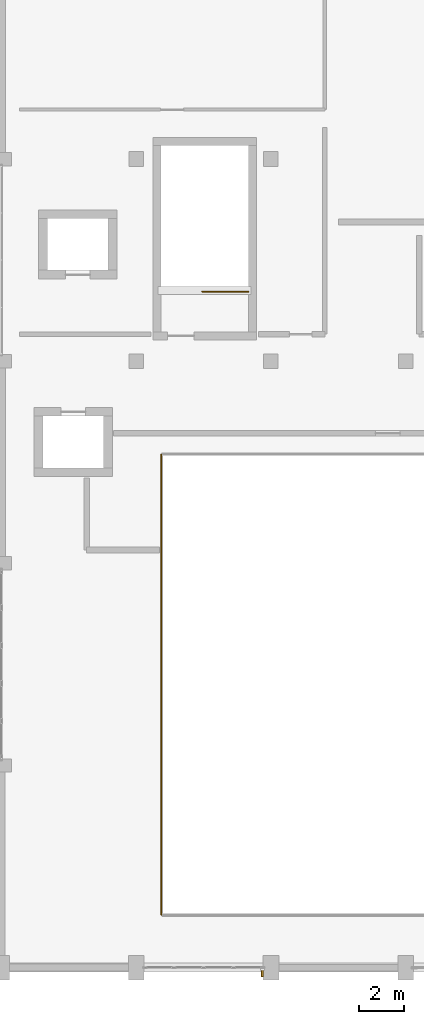
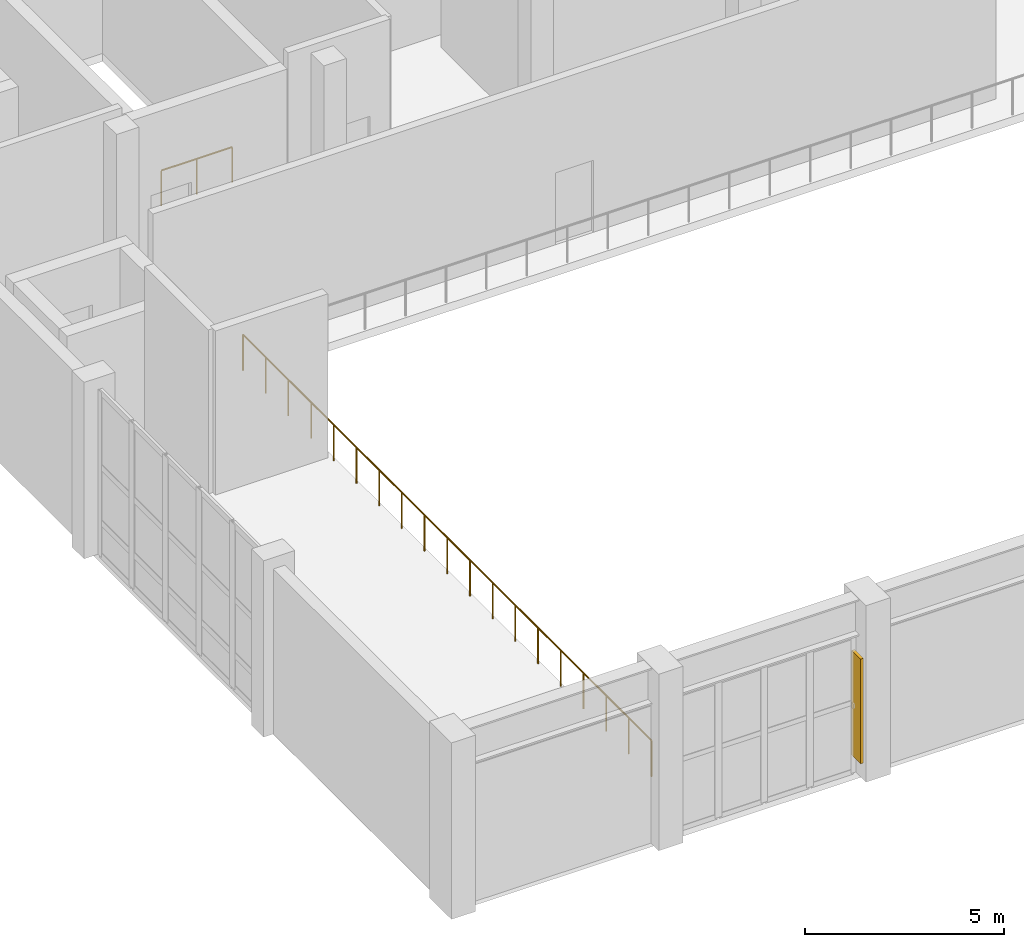
# One storey, part 36 of 41: 2 railings, 1 shading device.
"""IFC4 building model written with IfcOpenShell, lengths in metres."""

from ifc_helpers import new_model, si_unit, direction, frame, origin, origin_2d, place, context, subcontext, project, spatial, rectangle, circle, extrude, material, type_object, element, save


model = new_model("IFC4")

# Units and contexts
model_context = context("Model", 3, precision=1e-05, world=origin(), true_north=direction((0.0, 1.0)))
body_context = subcontext(model_context, "Body", "Model", "MODEL_VIEW")
ifc_project = project(units=[si_unit("LENGTHUNIT", "METRE"), si_unit("AREAUNIT", "SQUARE_METRE"), si_unit("VOLUMEUNIT", "CUBIC_METRE"), si_unit("PLANEANGLEUNIT", "RADIAN"), si_unit("MASSUNIT", "GRAM", prefix="KILO")], contexts=[model_context])

# Site, building, storey
site_placement = place(None, origin())
site = spatial("IfcSite", under=ifc_project, at=site_placement, CompositionType="ELEMENT")
building_placement = place(site_placement, origin())
building = spatial("IfcBuilding", under=site, at=building_placement, Name="Vaelkrest Opera House", CompositionType="ELEMENT")
storey_placement = place(building_placement, frame((0.0, 0.0, 24.60009765625)))
storey = spatial("IfcBuildingStorey", under=building, at=storey_placement, Name="L05", CompositionType="ELEMENT", Elevation=24.60009765625)

# Railing
ifc_material = material(Name="Dark bronze anodized aluminium", Category="aluminium")
railing_type_1 = type_object("IfcRailingType", Name="BL01", PredefinedType="BALUSTRADE", material=ifc_material)
railing_1_placement = place(storey_placement, frame((-22.8798828125, -32.9599609375, 0.0)))
element("IfcRailing", 1, at=railing_1_placement, inside=storey, type_object=railing_type_1, Name="Atrium/stage void guard V1 L05-2 seg 4", PredefinedType="BALUSTRADE", context=body_context, shape_type="SweptSolid", body=[
    extrude(circle(Radius=0.02392578125, at=origin_2d()), frame((0.0, 0.0, 1.09619140625), z_axis=(0.0, -1.0, 0.0), x_axis=(1.0, 0.0, 0.0)), (0.0, 0.0, 1.0), 20.47998046875),
    extrude(circle(Radius=0.02099609375, at=origin_2d()), origin(), (0.0, 0.0, 1.0), 1.072021484375),
    extrude(circle(Radius=0.02099609375, at=origin_2d()), frame((0.0, -1.1376953125, 0.0)), (0.0, 0.0, 1.0), 1.072021484375),
    extrude(circle(Radius=0.02099609375, at=origin_2d()), frame((0.0, -2.275634765625, 0.0)), (0.0, 0.0, 1.0), 1.072021484375),
    extrude(circle(Radius=0.02099609375, at=origin_2d()), frame((0.0, -3.413330078125, 0.0)), (0.0, 0.0, 1.0), 1.072021484375),
    extrude(circle(Radius=0.02099609375, at=origin_2d()), frame((0.0, -4.551025390625, 0.0)), (0.0, 0.0, 1.0), 1.072021484375),
    extrude(circle(Radius=0.02099609375, at=origin_2d()), frame((0.0, -5.68896484375, 0.0)), (0.0, 0.0, 1.0), 1.072021484375),
    extrude(circle(Radius=0.02099609375, at=origin_2d()), frame((0.0, -6.82666015625, 0.0)), (0.0, 0.0, 1.0), 1.072021484375),
    extrude(circle(Radius=0.02099609375, at=origin_2d()), frame((0.0, -7.96435546875, 0.0)), (0.0, 0.0, 1.0), 1.072021484375),
    extrude(circle(Radius=0.02099609375, at=origin_2d()), frame((0.0, -9.102294921875, 0.0)), (0.0, 0.0, 1.0), 1.072021484375),
    extrude(circle(Radius=0.02099609375, at=origin_2d()), frame((0.0, -10.239990234375, 0.0)), (0.0, 0.0, 1.0), 1.072021484375),
    extrude(circle(Radius=0.02099609375, at=origin_2d()), frame((0.0, -11.377685546875, 0.0)), (0.0, 0.0, 1.0), 1.072021484375),
    extrude(circle(Radius=0.02099609375, at=origin_2d()), frame((0.0, -12.515625, 0.0)), (0.0, 0.0, 1.0), 1.072021484375),
    extrude(circle(Radius=0.02099609375, at=origin_2d()), frame((0.0, -13.6533203125, 0.0)), (0.0, 0.0, 1.0), 1.072021484375),
    extrude(circle(Radius=0.02099609375, at=origin_2d()), frame((0.0, -14.791015625, 0.0)), (0.0, 0.0, 1.0), 1.072021484375),
    extrude(circle(Radius=0.02099609375, at=origin_2d()), frame((0.0, -15.928955078125, 0.0)), (0.0, 0.0, 1.0), 1.072021484375),
    extrude(circle(Radius=0.02099609375, at=origin_2d()), frame((0.0, -17.066650390625, 0.0)), (0.0, 0.0, 1.0), 1.072021484375),
    extrude(circle(Radius=0.02099609375, at=origin_2d()), frame((0.0, -18.204345703125, 0.0)), (0.0, 0.0, 1.0), 1.072021484375),
    extrude(circle(Radius=0.02099609375, at=origin_2d()), frame((0.0, -19.34228515625, 0.0)), (0.0, 0.0, 1.0), 1.072021484375),
    extrude(circle(Radius=0.02099609375, at=origin_2d()), frame((0.0, -20.47998046875, 0.0)), (0.0, 0.0, 1.0), 1.072021484375),
])

# Shading device
shading_device_type = type_object("IfcShadingDeviceType", Name="FIN01", PredefinedType="USERDEFINED", material=ifc_material)
shading_device_placement = place(storey_placement, frame((-18.383056640625, -55.97998046875, 0.4990234375), z_axis=(0.0, 0.0, 1.0), x_axis=(0.0, -1.0, 0.0)))
element("IfcShadingDevice", 2, at=shading_device_placement, inside=storey, type_object=shading_device_type, Name="Bronze vertical facade fin 09", ObjectType="FIN", PredefinedType="USERDEFINED", context=body_context, shape_type="SweptSolid", body=[
    extrude(rectangle(XDim=0.449951171875, YDim=0.080078125, at=origin_2d()), origin(), (0.0, 0.0, 1.0), 3.199951171875),
])

# Railing
railing_type_2 = type_object("IfcRailingType", Name="GR02", PredefinedType="GUARDRAIL", material=ifc_material)
railing_2_placement = place(storey_placement, frame((-19.0, -25.699951171875, 0.0)))
element("IfcRailing", 3, at=railing_2_placement, inside=storey, type_object=railing_type_2, Name="L05 ST01 top well guard 1", PredefinedType="GUARDRAIL", context=body_context, shape_type="SweptSolid", body=[
    extrude(circle(Radius=0.02392578125, at=origin_2d()), frame((0.0, 0.0, 1.076171875), z_axis=(-1.0, 0.0, 0.0), x_axis=(0.0, -1.0, 0.0)), (0.0, 0.0, 1.0), 2.050048828125),
    extrude(circle(Radius=0.02099609375, at=origin_2d()), origin(), (0.0, 0.0, 1.0), 1.052001953125),
    extrude(circle(Radius=0.02099609375, at=origin_2d()), frame((-1.02490234375, 0.0, 0.0)), (0.0, 0.0, 1.0), 1.052001953125),
    extrude(circle(Radius=0.02099609375, at=origin_2d()), frame((-2.050048828125, 0.0, 0.0)), (0.0, 0.0, 1.0), 1.052001953125),
])

save(model, "model.ifc")
